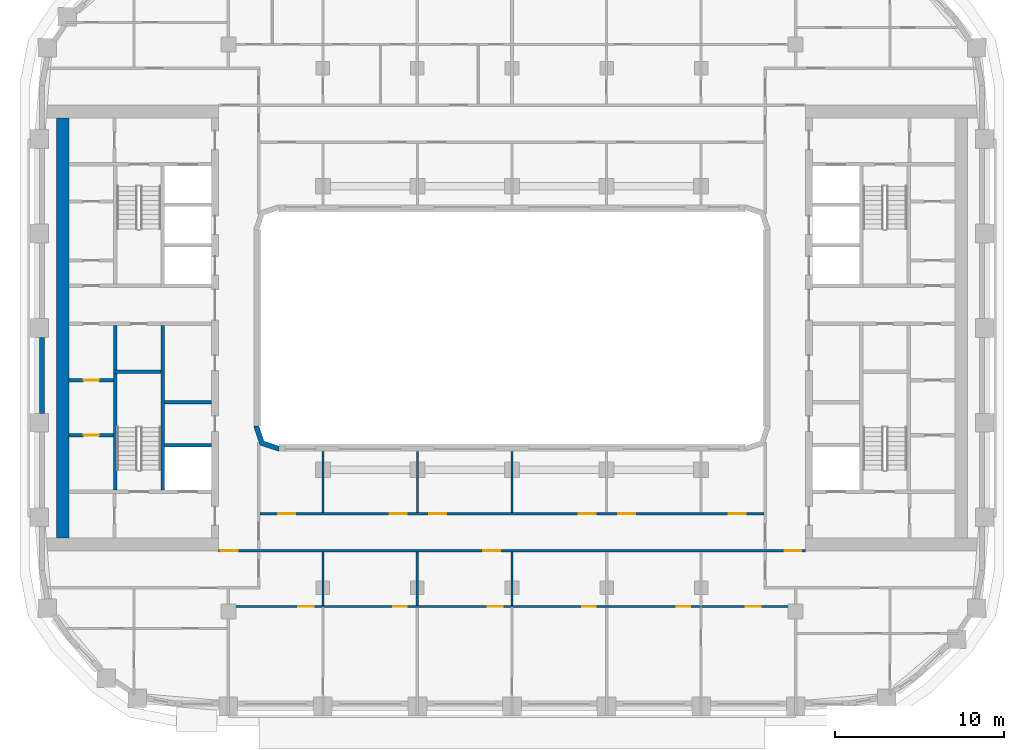
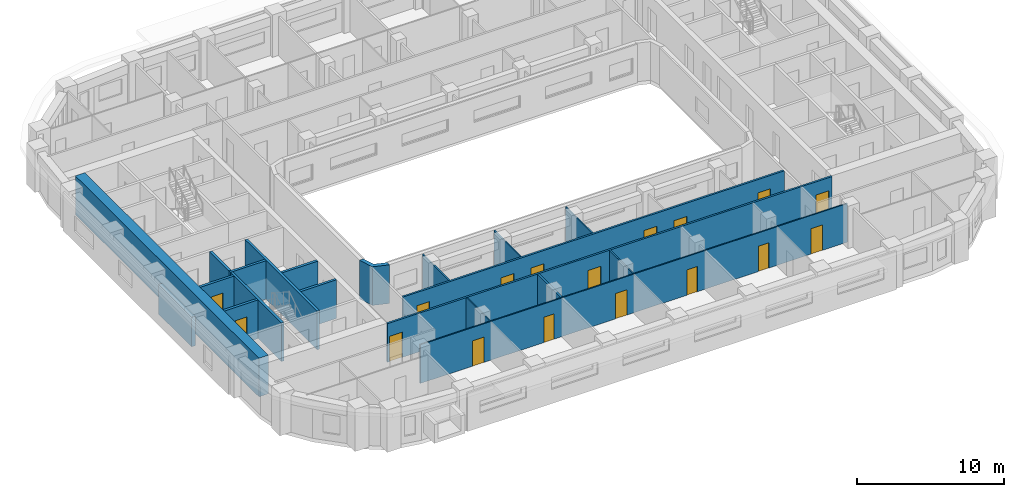
# One storey, part 3 of 22: 20 walls, 17 doors, 17 openings.
"""IFC4 building model written with IfcOpenShell, lengths in metres."""

from ifc_helpers import new_model, si_unit, direction, frame, frame_2d, origin, place, context, subcontext, project, spatial, polyline, rectangle, outline, extrude, material, layer, layer_set, type_object, element, fill, save


model = new_model("IFC4")

# Units and contexts
model_context = context("Model", 3, precision=1e-05, world=origin(), true_north=direction((0.0, 1.0)))
body_context = subcontext(model_context, "Body", "Model", "MODEL_VIEW")
ifc_project = project(units=[si_unit("LENGTHUNIT", "METRE"), si_unit("AREAUNIT", "SQUARE_METRE"), si_unit("VOLUMEUNIT", "CUBIC_METRE"), si_unit("PLANEANGLEUNIT", "RADIAN"), si_unit("MASSUNIT", "GRAM", prefix="KILO")], contexts=[model_context])

# Site, building, storey
site_placement = place(None, origin())
site = spatial("IfcSite", under=ifc_project, at=site_placement, CompositionType="ELEMENT")
building_placement = place(site_placement, origin())
building = spatial("IfcBuilding", under=site, at=building_placement, Name="Kiln Ring Residences", CompositionType="ELEMENT")
storey_placement = place(building_placement, frame((0.0, 0.0, 146.60009765625)))
storey = spatial("IfcBuildingStorey", under=building, at=storey_placement, Name="L37", CompositionType="ELEMENT", Elevation=146.60009765625)

# Walls
ifc_material_1 = material(Name="Gypsum board on steel studs", Category="steel")
ifc_layer_1 = layer(ifc_material_1, 0.199951171875)
ifc_layer_set_1 = layer_set([ifc_layer_1], Name="CORE-PARTITION-200")
wall_type_1 = type_object("IfcWallType", Name="CORE-PARTITION-200", PredefinedType="PARTITIONING", material=ifc_layer_set_1)
wall_1_placement = place(storey_placement, frame((-23.5, -2.5, 0.0), z_axis=(0.0, 0.0, 1.0), x_axis=(0.0, 1.0, 0.0)))
element("IfcWall", 1, at=wall_1_placement, inside=storey, type_object=wall_type_1, Name="Core partition west L37 1", PredefinedType="PARTITIONING", context=body_context, shape_type="SweptSolid", body=[
    extrude(rectangle(XDim=2.64990234375, YDim=0.199951171875, at=frame_2d((1.324951171875, 0.0))), origin(), (0.0, 0.0, 1.0), 3.199951171875),
])
wall_2_placement = place(storey_placement, frame((-17.800048828125, -4.39990234375, 0.0), z_axis=(0.0, 0.0, 1.0), x_axis=(-1.0, 0.0, 0.0)))
element("IfcWall", 2, at=wall_2_placement, inside=storey, type_object=wall_type_1, Name="Core partition west L37 3", PredefinedType="PARTITIONING", context=body_context, shape_type="SweptSolid", body=[
    extrude(rectangle(XDim=2.800048828125, YDim=0.199951171875, at=frame_2d((1.39990234375, 0.0))), origin(), (0.0, 0.0, 1.0), 3.199951171875),
])

# Wall, opening, door
wall_3_placement = place(storey_placement, frame((-23.60009765625, -6.35009765625, 0.0), z_axis=(0.0, 0.0, 1.0), x_axis=(-1.0, 0.0, 0.0)))
wall_3 = element("IfcWall", 3, at=wall_3_placement, inside=storey, type_object=wall_type_1, Name="Core partition west L37 6", PredefinedType="PARTITIONING", context=body_context, shape_type="SweptSolid", body=[
    extrude(rectangle(XDim=2.64990234375, YDim=0.199951171875, at=frame_2d((1.324951171875, 0.0))), origin(), (0.0, 0.0, 1.0), 3.199951171875),
])
opening_1_placement = place(wall_3_placement, frame((0.875, 0.0, 0.0)))
opening_1 = element("IfcOpeningElement", 4, at=opening_1_placement, cuts=wall_3, Name="Opening L37-CW15", PredefinedType="OPENING", context=body_context, shape_type="SweptSolid", body=[
    extrude(rectangle(XDim=0.89990234375, YDim=2.10009765625, at=frame_2d((0.449951171875, 1.050048828125))), frame((0.0, 0.10986328125, 0.0), z_axis=(0.0, -1.0, 0.0), x_axis=(1.0, 0.0, 0.0)), (0.0, 0.0, 1.0), 0.219970703125),
])
ifc_material_2 = material(Name="Steel door leaf", Category="steel")
door_type_1 = type_object("IfcDoorType", Name="CORE-DOOR-ROOM", OperationType="SINGLE_SWING_LEFT", PredefinedType="DOOR", material=ifc_material_2)
door_1_placement = place(opening_1_placement, origin())
door_1 = element("IfcDoor", 5, at=door_1_placement, inside=storey, type_object=door_type_1, Name="Meter room L37-CW15", OperationType="SINGLE_SWING_RIGHT", OverallHeight=2.10009765625, OverallWidth=0.89990234375, PredefinedType="DOOR", context=body_context, shape_type="SweptSolid", body=[
    extrude(rectangle(XDim=0.89990234375, YDim=2.10009765625, at=frame_2d((0.449951171875, 1.050048828125))), frame((0.0, 0.02490234375, 0.0), z_axis=(0.0, -1.0, 0.0), x_axis=(1.0, 0.0, 0.0)), (0.0, 0.0, 1.0), 0.050048828125),
])
fill(opening_1, door_1)

wall_4_placement = place(storey_placement, frame((-23.60009765625, -3.10009765625, 0.0), z_axis=(0.0, 0.0, 1.0), x_axis=(-1.0, 0.0, 0.0)))
wall_4 = element("IfcWall", 6, at=wall_4_placement, inside=storey, type_object=wall_type_1, Name="Core partition west L37 7", PredefinedType="PARTITIONING", context=body_context, shape_type="SweptSolid", body=[
    extrude(rectangle(XDim=2.64990234375, YDim=0.199951171875, at=frame_2d((1.324951171875, 0.0))), origin(), (0.0, 0.0, 1.0), 3.199951171875),
])
opening_2_placement = place(wall_4_placement, frame((0.875, 0.0, 0.0)))
opening_2 = element("IfcOpeningElement", 7, at=opening_2_placement, cuts=wall_4, Name="Opening L37-CW16", PredefinedType="OPENING", context=body_context, shape_type="SweptSolid", body=[
    extrude(rectangle(XDim=0.89990234375, YDim=2.10009765625, at=frame_2d((0.449951171875, 1.050048828125))), frame((0.0, 0.10986328125, 0.0), z_axis=(0.0, -1.0, 0.0), x_axis=(1.0, 0.0, 0.0)), (0.0, 0.0, 1.0), 0.219970703125),
])
door_2_placement = place(opening_2_placement, origin())
door_2 = element("IfcDoor", 8, at=door_2_placement, inside=storey, type_object=door_type_1, Name="Plant room L37-CW16", OperationType="SINGLE_SWING_LEFT", OverallHeight=2.10009765625, OverallWidth=0.89990234375, PredefinedType="DOOR", context=body_context, shape_type="SweptSolid", body=[
    extrude(rectangle(XDim=0.89990234375, YDim=2.10009765625, at=frame_2d((0.449951171875, 1.050048828125))), frame((0.0, 0.02490234375, 0.0), z_axis=(0.0, -1.0, 0.0), x_axis=(1.0, 0.0, 0.0)), (0.0, 0.0, 1.0), 0.050048828125),
])
fill(opening_2, door_2)

# Walls
ifc_material_3 = material(Name="Gypsum shaft wall system")
ifc_layer_2 = layer(ifc_material_3, 0.199951171875)
ifc_layer_set_2 = layer_set([ifc_layer_2], Name="CORE-SHAFT-WALL-200")
wall_type_2 = type_object("IfcWallType", Name="CORE-SHAFT-WALL-200", PredefinedType="PARTITIONING", material=ifc_layer_set_2)
wall_5_placement = place(storey_placement, frame((-17.800048828125, -6.949951171875, 0.0), z_axis=(0.0, 0.0, 1.0), x_axis=(-1.0, 0.0, 0.0)))
element("IfcWall", 9, at=wall_5_placement, inside=storey, type_object=wall_type_2, Name="Core partition west L37 10", PredefinedType="PARTITIONING", context=body_context, shape_type="SweptSolid", body=[
    extrude(rectangle(XDim=2.800048828125, YDim=0.199951171875, at=frame_2d((1.39990234375, 0.0))), origin(), (0.0, 0.0, 1.0), 3.199951171875),
])
ifc_material_4 = material(Name="Concrete C40/50", Category="concrete")
ifc_layer_3 = layer(ifc_material_4, 0.199951171875)
ifc_layer_set_3 = layer_set([ifc_layer_3], Name="CORE-WALL-RC200")
wall_type_3 = type_object("IfcWallType", Name="CORE-WALL-RC200", PredefinedType="SHEAR", material=ifc_layer_set_3)
wall_6_placement = place(storey_placement, frame((-20.699951171875, -9.60009765625, 0.0), z_axis=(0.0, 0.0, 1.0), x_axis=(0.0, 1.0, 0.0)))
element("IfcWall", 10, at=wall_6_placement, inside=storey, type_object=wall_type_3, Name="Core wall west L37 2", PredefinedType="SHEAR", context=body_context, shape_type="SweptSolid", body=[
    extrude(rectangle(XDim=9.75, YDim=0.199951171875, at=frame_2d((4.875, 0.0))), origin(), (0.0, 0.0, 1.0), 3.199951171875),
])
wall_7_placement = place(storey_placement, frame((-23.5, -9.60009765625, 0.0), z_axis=(0.0, 0.0, 1.0), x_axis=(0.0, 1.0, 0.0)))
element("IfcWall", 11, at=wall_7_placement, inside=storey, type_object=wall_type_3, Name="Core wall west L37 11", PredefinedType="SHEAR", context=body_context, shape_type="SweptSolid", body=[
    extrude(rectangle(XDim=6.900146484375, YDim=0.199951171875, at=frame_2d((3.4501953125, 0.0))), origin(), (0.0, 0.0, 1.0), 3.199951171875),
])
wall_8_placement = place(storey_placement, frame((-20.800048828125, -2.60009765625, 0.0), z_axis=(0.0, 0.0, 1.0), x_axis=(-1.0, 0.0, 0.0)))
element("IfcWall", 12, at=wall_8_placement, inside=storey, type_object=wall_type_3, Name="Core wall west L37 12", PredefinedType="SHEAR", context=body_context, shape_type="SweptSolid", body=[
    extrude(rectangle(XDim=2.800048828125, YDim=0.199951171875, at=frame_2d((1.39990234375, 0.0))), origin(), (0.0, 0.0, 1.0), 3.199951171875),
])
ifc_material_5 = material(Name="Concrete C60/75", Category="concrete")
ifc_layer_4 = layer(ifc_material_5, 0.75)
ifc_layer_set_4 = layer_set([ifc_layer_4], Name="CORE-WALL-RC750")
wall_type_4 = type_object("IfcWallType", Name="CORE-WALL-RC750", PredefinedType="SHEAR", material=ifc_layer_set_4)
wall_9_placement = place(storey_placement, frame((-26.625, -12.449951171875, 0.0), z_axis=(0.0, 0.0, 1.0), x_axis=(0.0, 1.0, 0.0)))
element("IfcWall", 13, at=wall_9_placement, inside=storey, type_object=wall_type_4, Name="Core wall west L37 7", PredefinedType="SHEAR", context=body_context, shape_type="SweptSolid", body=[
    extrude(rectangle(XDim=24.89990234375, YDim=0.75, at=frame_2d((12.449951171875, 0.0))), origin(), (0.0, 0.0, 1.0), 3.199951171875),
])
ifc_material_6 = material(Name="Brick masonry, dark clay brick", Category="masonry")
ifc_layer_5 = layer(ifc_material_6, 0.300048828125)
ifc_layer_set_5 = layer_set([ifc_layer_5], Name="EW-300 BRICK WALL")
wall_type_5 = type_object("IfcWallType", Name="EW-300 BRICK WALL", PredefinedType="SOLIDWALL", material=ifc_layer_set_5)
wall_10_placement = place(storey_placement, frame((-27.85009765625, -0.550048828125, 0.0), z_axis=(0.0, 0.0, 1.0), x_axis=(0.0, -1.0, 0.0)))
element("IfcWall", 14, at=wall_10_placement, inside=storey, type_object=wall_type_5, Name="Facade wall L37 44", PredefinedType="SOLIDWALL", context=body_context, shape_type="SweptSolid", body=[
    extrude(rectangle(XDim=4.5, YDim=0.300048828125, at=frame_2d((2.25, 0.0))), origin(), (0.0, 0.0, 1.0), 2.449951171875),
])
wall_11_placement = place(storey_placement, origin())
element("IfcWall", 15, at=wall_11_placement, inside=storey, type_object=wall_type_5, Name="Corner wall L37 4", PredefinedType="SOLIDWALL", context=body_context, shape_type="SweptSolid", body=[
    extrude(outline(polyline([(-14.937255859375, -6.937255859375), (-13.8486328125, -7.300048828125), (-13.800048828125, -7.300048828125), (-13.800048828125, -7.0), (-14.699951171875, -6.699951171875), (-15.0, -5.800048828125), (-15.300048828125, -5.800048828125), (-15.300048828125, -5.8486328125), (-14.937255859375, -6.937255859375)])), origin(), (0.0, 0.0, 1.0), 3.199951171875),
])

# Wall, openings, doors
ifc_material_7 = material(Name="Gypsum board on steel studs", Category="steel")
ifc_layer_6 = layer(ifc_material_7, 0.10009765625)
ifc_layer_set_6 = layer_set([ifc_layer_6], Name="PARTITION-100")
wall_type_6 = type_object("IfcWallType", Name="PARTITION-100", PredefinedType="PARTITIONING", material=ifc_layer_set_6)
wall_12_placement = place(storey_placement, frame((-16.72509765625, -16.5, 0.0), z_axis=(0.0, 0.0, 1.0), x_axis=(1.0, 0.0, 0.0)))
wall_12 = element("IfcWall", 16, at=wall_12_placement, inside=storey, type_object=wall_type_6, Name="Partition 002", PredefinedType="PARTITIONING", context=body_context, shape_type="SweptSolid", body=[
    extrude(rectangle(XDim=33.4501953125, YDim=0.10009765625, at=frame_2d((16.72509765625, 0.0))), origin(), (0.0, 0.0, 1.0), 3.199951171875),
])
opening_3_placement = place(wall_12_placement, frame((9.675048828125, 0.0, 0.0)))
opening_3 = element("IfcOpeningElement", 17, at=opening_3_placement, cuts=wall_12, Name="Opening L37-D045", PredefinedType="OPENING", context=body_context, shape_type="SweptSolid", body=[
    extrude(rectangle(XDim=0.800048828125, YDim=2.10009765625, at=frame_2d((0.39990234375, 1.050048828125))), frame((0.0, 0.06005859375, 0.0), z_axis=(0.0, -1.0, 0.0), x_axis=(1.0, 0.0, 0.0)), (0.0, 0.0, 1.0), 0.1201171875),
])
opening_4_placement = place(wall_12_placement, frame((4.074951171875, 0.0, 0.0)))
opening_4 = element("IfcOpeningElement", 18, at=opening_4_placement, cuts=wall_12, Name="Opening L37-D046", PredefinedType="OPENING", context=body_context, shape_type="SweptSolid", body=[
    extrude(rectangle(XDim=0.89990234375, YDim=2.10009765625, at=frame_2d((0.449951171875, 1.050048828125))), frame((0.0, 0.06005859375, 0.0), z_axis=(0.0, -1.0, 0.0), x_axis=(1.0, 0.0, 0.0)), (0.0, 0.0, 1.0), 0.1201171875),
])
opening_5_placement = place(wall_12_placement, frame((20.875, 0.0, 0.0)))
opening_5 = element("IfcOpeningElement", 19, at=opening_5_placement, cuts=wall_12, Name="Opening L37-D049", PredefinedType="OPENING", context=body_context, shape_type="SweptSolid", body=[
    extrude(rectangle(XDim=0.800048828125, YDim=2.10009765625, at=frame_2d((0.39990234375, 1.050048828125))), frame((0.0, 0.06005859375, 0.0), z_axis=(0.0, -1.0, 0.0), x_axis=(1.0, 0.0, 0.0)), (0.0, 0.0, 1.0), 0.1201171875),
])
opening_6_placement = place(wall_12_placement, frame((15.27490234375, 0.0, 0.0)))
opening_6 = element("IfcOpeningElement", 20, at=opening_6_placement, cuts=wall_12, Name="Opening L37-D050", PredefinedType="OPENING", context=body_context, shape_type="SweptSolid", body=[
    extrude(rectangle(XDim=0.89990234375, YDim=2.10009765625, at=frame_2d((0.449951171875, 1.050048828125))), frame((0.0, 0.06005859375, 0.0), z_axis=(0.0, -1.0, 0.0), x_axis=(1.0, 0.0, 0.0)), (0.0, 0.0, 1.0), 0.1201171875),
])
opening_7_placement = place(wall_12_placement, frame((26.47509765625, 0.0, 0.0)))
opening_7 = element("IfcOpeningElement", 21, at=opening_7_placement, cuts=wall_12, Name="Opening L37-D053", PredefinedType="OPENING", context=body_context, shape_type="SweptSolid", body=[
    extrude(rectangle(XDim=0.800048828125, YDim=2.10009765625, at=frame_2d((0.39990234375, 1.050048828125))), frame((0.0, 0.06005859375, 0.0), z_axis=(0.0, -1.0, 0.0), x_axis=(1.0, 0.0, 0.0)), (0.0, 0.0, 1.0), 0.1201171875),
])
opening_8_placement = place(wall_12_placement, frame((30.574951171875, 0.0, 0.0)))
opening_8 = element("IfcOpeningElement", 22, at=opening_8_placement, cuts=wall_12, Name="Opening L37-D054", PredefinedType="OPENING", context=body_context, shape_type="SweptSolid", body=[
    extrude(rectangle(XDim=0.89990234375, YDim=2.10009765625, at=frame_2d((0.449951171875, 1.050048828125))), frame((0.0, 0.06005859375, 0.0), z_axis=(0.0, -1.0, 0.0), x_axis=(1.0, 0.0, 0.0)), (0.0, 0.0, 1.0), 0.1201171875),
])
ifc_material_8 = material(Name="Timber door leaf", Category="wood")
door_type_2 = type_object("IfcDoorType", Name="FLAT-DOOR-800-PL", OperationType="SINGLE_SWING_LEFT", PredefinedType="DOOR", material=ifc_material_8)
door_3_placement = place(opening_3_placement, origin())
door_3 = element("IfcDoor", 23, at=door_3_placement, inside=storey, type_object=door_type_2, Name="Door L37-D045", OperationType="SINGLE_SWING_LEFT", OverallHeight=2.10009765625, OverallWidth=0.800048828125, PredefinedType="DOOR", context=body_context, shape_type="SweptSolid", body=[
    extrude(rectangle(XDim=0.800048828125, YDim=2.10009765625, at=frame_2d((0.39990234375, 1.050048828125))), frame((0.0, 0.02490234375, 0.0), z_axis=(0.0, -1.0, 0.0), x_axis=(1.0, 0.0, 0.0)), (0.0, 0.0, 1.0), 0.050048828125),
])
fill(opening_3, door_3)
door_4_placement = place(opening_5_placement, origin())
door_4 = element("IfcDoor", 24, at=door_4_placement, inside=storey, type_object=door_type_2, Name="Door L37-D049", OperationType="SINGLE_SWING_LEFT", OverallHeight=2.10009765625, OverallWidth=0.800048828125, PredefinedType="DOOR", context=body_context, shape_type="SweptSolid", body=[
    extrude(rectangle(XDim=0.800048828125, YDim=2.10009765625, at=frame_2d((0.39990234375, 1.050048828125))), frame((0.0, 0.02490234375, 0.0), z_axis=(0.0, -1.0, 0.0), x_axis=(1.0, 0.0, 0.0)), (0.0, 0.0, 1.0), 0.050048828125),
])
fill(opening_5, door_4)
door_5_placement = place(opening_7_placement, origin())
door_5 = element("IfcDoor", 25, at=door_5_placement, inside=storey, type_object=door_type_2, Name="Door L37-D053", OperationType="SINGLE_SWING_LEFT", OverallHeight=2.10009765625, OverallWidth=0.800048828125, PredefinedType="DOOR", context=body_context, shape_type="SweptSolid", body=[
    extrude(rectangle(XDim=0.800048828125, YDim=2.10009765625, at=frame_2d((0.39990234375, 1.050048828125))), frame((0.0, 0.02490234375, 0.0), z_axis=(0.0, -1.0, 0.0), x_axis=(1.0, 0.0, 0.0)), (0.0, 0.0, 1.0), 0.050048828125),
])
fill(opening_7, door_5)
ifc_material_9 = material(Name="Timber door leaf", Category="wood")
door_type_3 = type_object("IfcDoorType", Name="FLAT-DOOR-900-PL", OperationType="SINGLE_SWING_LEFT", PredefinedType="DOOR", material=ifc_material_9)
door_6_placement = place(opening_4_placement, origin())
door_6 = element("IfcDoor", 26, at=door_6_placement, inside=storey, type_object=door_type_3, Name="Door L37-D046", OperationType="SINGLE_SWING_RIGHT", OverallHeight=2.10009765625, OverallWidth=0.89990234375, PredefinedType="DOOR", context=body_context, shape_type="SweptSolid", body=[
    extrude(rectangle(XDim=0.89990234375, YDim=2.10009765625, at=frame_2d((0.449951171875, 1.050048828125))), frame((0.0, 0.02490234375, 0.0), z_axis=(0.0, -1.0, 0.0), x_axis=(1.0, 0.0, 0.0)), (0.0, 0.0, 1.0), 0.050048828125),
])
fill(opening_4, door_6)
door_7_placement = place(opening_6_placement, origin())
door_7 = element("IfcDoor", 27, at=door_7_placement, inside=storey, type_object=door_type_3, Name="Door L37-D050", OperationType="SINGLE_SWING_RIGHT", OverallHeight=2.10009765625, OverallWidth=0.89990234375, PredefinedType="DOOR", context=body_context, shape_type="SweptSolid", body=[
    extrude(rectangle(XDim=0.89990234375, YDim=2.10009765625, at=frame_2d((0.449951171875, 1.050048828125))), frame((0.0, 0.02490234375, 0.0), z_axis=(0.0, -1.0, 0.0), x_axis=(1.0, 0.0, 0.0)), (0.0, 0.0, 1.0), 0.050048828125),
])
fill(opening_6, door_7)
door_8_placement = place(opening_8_placement, origin())
door_8 = element("IfcDoor", 28, at=door_8_placement, inside=storey, type_object=door_type_3, Name="Door L37-D054", OperationType="SINGLE_SWING_RIGHT", OverallHeight=2.10009765625, OverallWidth=0.89990234375, PredefinedType="DOOR", context=body_context, shape_type="SweptSolid", body=[
    extrude(rectangle(XDim=0.89990234375, YDim=2.10009765625, at=frame_2d((0.449951171875, 1.050048828125))), frame((0.0, 0.02490234375, 0.0), z_axis=(0.0, -1.0, 0.0), x_axis=(1.0, 0.0, 0.0)), (0.0, 0.0, 1.0), 0.050048828125),
])
fill(opening_8, door_8)

# Walls
wall_13_placement = place(storey_placement, frame((-11.199951171875, -16.449951171875, 0.0), z_axis=(0.0, 0.0, 1.0), x_axis=(0.0, 1.0, 0.0)))
element("IfcWall", 29, at=wall_13_placement, inside=storey, type_object=wall_type_6, Name="Partition 026", PredefinedType="PARTITIONING", context=body_context, shape_type="SweptSolid", body=[
    extrude(rectangle(XDim=3.175048828125, YDim=0.10009765625, at=frame_2d((1.58740234375, 0.0))), origin(), (0.0, 0.0, 1.0), 3.199951171875),
])
for number, where, z_axis, x_axis, name in (
    (30, (-11.199951171875, -10.925048828125, 0.0), (0.0, 0.0, 1.0), (0.0, 1.0, 0.0), "Partition 027"),
    (31, (-5.60009765625, -10.925048828125, 0.0), (0.0, 0.0, 1.0), (0.0, 1.0, 0.0), "Partition 032"),
):
    element("IfcWall", number, at=place(storey_placement, frame(where, z_axis=z_axis, x_axis=x_axis)), inside=storey, type_object=wall_type_6, Name=name, PredefinedType="PARTITIONING", context=body_context, shape_type="SweptSolid", body=[
        extrude(rectangle(XDim=3.60498046875, YDim=0.10009765625, at=frame_2d((1.802490234375, 0.0))), origin(), (0.0, 0.0, 1.0), 3.199951171875),
    ])
wall_14_placement = place(storey_placement, frame((0.0, -16.449951171875, 0.0), z_axis=(0.0, 0.0, 1.0), x_axis=(0.0, 1.0, 0.0)))
element("IfcWall", 32, at=wall_14_placement, inside=storey, type_object=wall_type_6, Name="Partition 040", PredefinedType="PARTITIONING", context=body_context, shape_type="SweptSolid", body=[
    extrude(rectangle(XDim=3.175048828125, YDim=0.10009765625, at=frame_2d((1.58740234375, 0.0))), origin(), (0.0, 0.0, 1.0), 3.199951171875),
])
wall_15_placement = place(storey_placement, frame((0.0, -10.925048828125, 0.0), z_axis=(0.0, 0.0, 1.0), x_axis=(0.0, 1.0, 0.0)))
element("IfcWall", 33, at=wall_15_placement, inside=storey, type_object=wall_type_6, Name="Partition 041", PredefinedType="PARTITIONING", context=body_context, shape_type="SweptSolid", body=[
    extrude(rectangle(XDim=3.60498046875, YDim=0.10009765625, at=frame_2d((1.802490234375, 0.0))), origin(), (0.0, 0.0, 1.0), 3.199951171875),
])

# Wall, openings, doors
ifc_material_10 = material(Name="Brick masonry partition", Category="masonry")
ifc_layer_7 = layer(ifc_material_10, 0.14990234375)
ifc_layer_set_7 = layer_set([ifc_layer_7], Name="PARTITION-150-ei60")
wall_type_7 = type_object("IfcWallType", Name="PARTITION-150-ei60", PredefinedType="PARTITIONING", material=ifc_layer_set_7)
wall_16_placement = place(storey_placement, frame((-17.39990234375, -13.199951171875, 0.0), z_axis=(0.0, 0.0, 1.0), x_axis=(1.0, 0.0, 0.0)))
wall_16 = element("IfcWall", 34, at=wall_16_placement, inside=storey, type_object=wall_type_7, Name="Partition 005", PredefinedType="PARTITIONING", context=body_context, shape_type="SweptSolid", body=[
    extrude(rectangle(XDim=34.7998046875, YDim=0.14990234375, at=frame_2d((17.39990234375, 0.0))), origin(), (0.0, 0.0, 1.0), 3.199951171875),
])
opening_9_placement = place(wall_16_placement, frame((0.14990234375, 0.0, 0.0)))
opening_9 = element("IfcOpeningElement", 35, at=opening_9_placement, cuts=wall_16, Name="Opening L37-D007", PredefinedType="OPENING", context=body_context, shape_type="SweptSolid", body=[
    extrude(rectangle(XDim=1.0, YDim=2.10009765625, at=frame_2d((0.5, 1.050048828125))), frame((0.0, 0.0849609375, 0.0), z_axis=(0.0, -1.0, 0.0), x_axis=(1.0, 0.0, 0.0)), (0.0, 0.0, 1.0), 0.169921875),
])
opening_10_placement = place(wall_16_placement, frame((33.550048828125, 0.0, 0.0)))
opening_10 = element("IfcOpeningElement", 36, at=opening_10_placement, cuts=wall_16, Name="Opening L37-D008", PredefinedType="OPENING", context=body_context, shape_type="SweptSolid", body=[
    extrude(rectangle(XDim=1.0, YDim=2.10009765625, at=frame_2d((0.5, 1.050048828125))), frame((0.0, 0.0849609375, 0.0), z_axis=(0.0, -1.0, 0.0), x_axis=(1.0, 0.0, 0.0)), (0.0, 0.0, 1.0), 0.169921875),
])
opening_11_placement = place(wall_16_placement, frame((15.699951171875, 0.0, 0.0)))
opening_11 = element("IfcOpeningElement", 37, at=opening_11_placement, cuts=wall_16, Name="Opening L37-D048", PredefinedType="OPENING", context=body_context, shape_type="SweptSolid", body=[
    extrude(rectangle(XDim=1.0, YDim=2.10009765625, at=frame_2d((0.5, 1.050048828125))), frame((0.0, 0.0849609375, 0.0), z_axis=(0.0, -1.0, 0.0), x_axis=(1.0, 0.0, 0.0)), (0.0, 0.0, 1.0), 0.169921875),
])
ifc_material_11 = material(Name="Steel faced fire door leaf", Category="steel")
door_type_4 = type_object("IfcDoorType", Name="FLAT-DOOR-1000-FR", OperationType="SINGLE_SWING_LEFT", PredefinedType="DOOR", material=ifc_material_11)
door_9_placement = place(opening_9_placement, origin())
door_9 = element("IfcDoor", 38, at=door_9_placement, inside=storey, type_object=door_type_4, Name="Door L37-D007", OperationType="SINGLE_SWING_RIGHT", OverallHeight=2.10009765625, OverallWidth=1.0, PredefinedType="DOOR", context=body_context, shape_type="SweptSolid", body=[
    extrude(rectangle(XDim=1.0, YDim=2.10009765625, at=frame_2d((0.5, 1.050048828125))), frame((0.0, 0.02490234375, 0.0), z_axis=(0.0, -1.0, 0.0), x_axis=(1.0, 0.0, 0.0)), (0.0, 0.0, 1.0), 0.050048828125),
])
fill(opening_9, door_9)
door_10_placement = place(opening_10_placement, origin())
door_10 = element("IfcDoor", 39, at=door_10_placement, inside=storey, type_object=door_type_4, Name="Door L37-D008", OperationType="SINGLE_SWING_LEFT", OverallHeight=2.10009765625, OverallWidth=1.0, PredefinedType="DOOR", context=body_context, shape_type="SweptSolid", body=[
    extrude(rectangle(XDim=1.0, YDim=2.10009765625, at=frame_2d((0.5, 1.050048828125))), frame((0.0, 0.02490234375, 0.0), z_axis=(0.0, -1.0, 0.0), x_axis=(1.0, 0.0, 0.0)), (0.0, 0.0, 1.0), 0.050048828125),
])
fill(opening_10, door_10)
door_11_placement = place(opening_11_placement, origin())
door_11 = element("IfcDoor", 40, at=door_11_placement, inside=storey, type_object=door_type_4, Name="Door L37-D048", OperationType="SINGLE_SWING_RIGHT", OverallHeight=2.10009765625, OverallWidth=1.0, PredefinedType="DOOR", context=body_context, shape_type="SweptSolid", body=[
    extrude(rectangle(XDim=1.0, YDim=2.10009765625, at=frame_2d((0.5, 1.050048828125))), frame((0.0, 0.02490234375, 0.0), z_axis=(0.0, -1.0, 0.0), x_axis=(1.0, 0.0, 0.0)), (0.0, 0.0, 1.0), 0.050048828125),
])
fill(opening_11, door_11)

wall_17_placement = place(storey_placement, frame((-14.925048828125, -11.0, 0.0), z_axis=(0.0, 0.0, 1.0), x_axis=(1.0, 0.0, 0.0)))
wall_17 = element("IfcWall", 41, at=wall_17_placement, inside=storey, type_object=wall_type_7, Name="Partition 006", PredefinedType="PARTITIONING", context=body_context, shape_type="SweptSolid", body=[
    extrude(rectangle(XDim=29.85009765625, YDim=0.14990234375, at=frame_2d((14.925048828125, 0.0))), origin(), (0.0, 0.0, 1.0), 3.199951171875),
])
opening_12_placement = place(wall_17_placement, frame((1.074951171875, 0.0, 0.0)))
opening_12 = element("IfcOpeningElement", 42, at=opening_12_placement, cuts=wall_17, Name="Opening L37-D038", PredefinedType="OPENING", context=body_context, shape_type="SweptSolid", body=[
    extrude(rectangle(XDim=1.0, YDim=2.10009765625, at=frame_2d((0.5, 1.050048828125))), frame((0.0, 0.0849609375, 0.0), z_axis=(0.0, -1.0, 0.0), x_axis=(1.0, 0.0, 0.0)), (0.0, 0.0, 1.0), 0.169921875),
])
opening_13_placement = place(wall_17_placement, frame((7.675048828125, 0.0, 0.0)))
opening_13 = element("IfcOpeningElement", 43, at=opening_13_placement, cuts=wall_17, Name="Opening L37-D039", PredefinedType="OPENING", context=body_context, shape_type="SweptSolid", body=[
    extrude(rectangle(XDim=1.0, YDim=2.10009765625, at=frame_2d((0.5, 1.050048828125))), frame((0.0, 0.0849609375, 0.0), z_axis=(0.0, -1.0, 0.0), x_axis=(1.0, 0.0, 0.0)), (0.0, 0.0, 1.0), 0.169921875),
])
opening_14_placement = place(wall_17_placement, frame((10.02490234375, 0.0, 0.0)))
opening_14 = element("IfcOpeningElement", 44, at=opening_14_placement, cuts=wall_17, Name="Opening L37-D040", PredefinedType="OPENING", context=body_context, shape_type="SweptSolid", body=[
    extrude(rectangle(XDim=1.0, YDim=2.10009765625, at=frame_2d((0.5, 1.050048828125))), frame((0.0, 0.0849609375, 0.0), z_axis=(0.0, -1.0, 0.0), x_axis=(1.0, 0.0, 0.0)), (0.0, 0.0, 1.0), 0.169921875),
])
opening_15_placement = place(wall_17_placement, frame((18.875, 0.0, 0.0)))
opening_15 = element("IfcOpeningElement", 45, at=opening_15_placement, cuts=wall_17, Name="Opening L37-D041", PredefinedType="OPENING", context=body_context, shape_type="SweptSolid", body=[
    extrude(rectangle(XDim=1.0, YDim=2.10009765625, at=frame_2d((0.5, 1.050048828125))), frame((0.0, 0.0849609375, 0.0), z_axis=(0.0, -1.0, 0.0), x_axis=(1.0, 0.0, 0.0)), (0.0, 0.0, 1.0), 0.169921875),
])
opening_16_placement = place(wall_17_placement, frame((21.22509765625, 0.0, 0.0)))
opening_16 = element("IfcOpeningElement", 46, at=opening_16_placement, cuts=wall_17, Name="Opening L37-D042", PredefinedType="OPENING", context=body_context, shape_type="SweptSolid", body=[
    extrude(rectangle(XDim=1.0, YDim=2.10009765625, at=frame_2d((0.5, 1.050048828125))), frame((0.0, 0.0849609375, 0.0), z_axis=(0.0, -1.0, 0.0), x_axis=(1.0, 0.0, 0.0)), (0.0, 0.0, 1.0), 0.169921875),
])
opening_17_placement = place(wall_17_placement, frame((27.77392578125, 0.0, 0.0)))
opening_17 = element("IfcOpeningElement", 47, at=opening_17_placement, cuts=wall_17, Name="Opening L37-D043", PredefinedType="OPENING", context=body_context, shape_type="SweptSolid", body=[
    extrude(rectangle(XDim=1.0, YDim=2.10009765625, at=frame_2d((0.5, 1.050048828125))), frame((0.0, 0.0849609375, 0.0), z_axis=(0.0, -1.0, 0.0), x_axis=(1.0, 0.0, 0.0)), (0.0, 0.0, 1.0), 0.169921875),
])
door_12_placement = place(opening_12_placement, origin())
door_12 = element("IfcDoor", 48, at=door_12_placement, inside=storey, type_object=door_type_4, Name="Door L37-D038", OperationType="SINGLE_SWING_RIGHT", OverallHeight=2.10009765625, OverallWidth=1.0, PredefinedType="DOOR", context=body_context, shape_type="SweptSolid", body=[
    extrude(rectangle(XDim=1.0, YDim=2.10009765625, at=frame_2d((0.5, 1.050048828125))), frame((0.0, 0.02490234375, 0.0), z_axis=(0.0, -1.0, 0.0), x_axis=(1.0, 0.0, 0.0)), (0.0, 0.0, 1.0), 0.050048828125),
])
fill(opening_12, door_12)
door_13_placement = place(opening_13_placement, origin())
door_13 = element("IfcDoor", 49, at=door_13_placement, inside=storey, type_object=door_type_4, Name="Door L37-D039", OperationType="SINGLE_SWING_LEFT", OverallHeight=2.10009765625, OverallWidth=1.0, PredefinedType="DOOR", context=body_context, shape_type="SweptSolid", body=[
    extrude(rectangle(XDim=1.0, YDim=2.10009765625, at=frame_2d((0.5, 1.050048828125))), frame((0.0, 0.02490234375, 0.0), z_axis=(0.0, -1.0, 0.0), x_axis=(1.0, 0.0, 0.0)), (0.0, 0.0, 1.0), 0.050048828125),
])
fill(opening_13, door_13)
door_14_placement = place(opening_14_placement, origin())
door_14 = element("IfcDoor", 50, at=door_14_placement, inside=storey, type_object=door_type_4, Name="Door L37-D040", OperationType="SINGLE_SWING_RIGHT", OverallHeight=2.10009765625, OverallWidth=1.0, PredefinedType="DOOR", context=body_context, shape_type="SweptSolid", body=[
    extrude(rectangle(XDim=1.0, YDim=2.10009765625, at=frame_2d((0.5, 1.050048828125))), frame((0.0, 0.02490234375, 0.0), z_axis=(0.0, -1.0, 0.0), x_axis=(1.0, 0.0, 0.0)), (0.0, 0.0, 1.0), 0.050048828125),
])
fill(opening_14, door_14)
door_15_placement = place(opening_15_placement, origin())
door_15 = element("IfcDoor", 51, at=door_15_placement, inside=storey, type_object=door_type_4, Name="Door L37-D041", OperationType="SINGLE_SWING_LEFT", OverallHeight=2.10009765625, OverallWidth=1.0, PredefinedType="DOOR", context=body_context, shape_type="SweptSolid", body=[
    extrude(rectangle(XDim=1.0, YDim=2.10009765625, at=frame_2d((0.5, 1.050048828125))), frame((0.0, 0.02490234375, 0.0), z_axis=(0.0, -1.0, 0.0), x_axis=(1.0, 0.0, 0.0)), (0.0, 0.0, 1.0), 0.050048828125),
])
fill(opening_15, door_15)
door_16_placement = place(opening_16_placement, origin())
door_16 = element("IfcDoor", 52, at=door_16_placement, inside=storey, type_object=door_type_4, Name="Door L37-D042", OperationType="SINGLE_SWING_RIGHT", OverallHeight=2.10009765625, OverallWidth=1.0, PredefinedType="DOOR", context=body_context, shape_type="SweptSolid", body=[
    extrude(rectangle(XDim=1.0, YDim=2.10009765625, at=frame_2d((0.5, 1.050048828125))), frame((0.0, 0.02490234375, 0.0), z_axis=(0.0, -1.0, 0.0), x_axis=(1.0, 0.0, 0.0)), (0.0, 0.0, 1.0), 0.050048828125),
])
fill(opening_16, door_16)
door_17_placement = place(opening_17_placement, origin())
door_17 = element("IfcDoor", 53, at=door_17_placement, inside=storey, type_object=door_type_4, Name="Door L37-D043", OperationType="SINGLE_SWING_LEFT", OverallHeight=2.10009765625, OverallWidth=1.0, PredefinedType="DOOR", context=body_context, shape_type="SweptSolid", body=[
    extrude(rectangle(XDim=1.0, YDim=2.10009765625, at=frame_2d((0.5, 1.050048828125))), frame((0.0, 0.02490234375, 0.0), z_axis=(0.0, -1.0, 0.0), x_axis=(1.0, 0.0, 0.0)), (0.0, 0.0, 1.0), 0.050048828125),
])
fill(opening_17, door_17)

# Wall
wall_18_placement = place(storey_placement, frame((-5.60009765625, -16.449951171875, 0.0), z_axis=(0.0, 0.0, 1.0), x_axis=(0.0, 1.0, 0.0)))
element("IfcWall", 54, at=wall_18_placement, inside=storey, type_object=wall_type_7, Name="Partition 035", PredefinedType="PARTITIONING", context=body_context, shape_type="SweptSolid", body=[
    extrude(rectangle(XDim=3.175048828125, YDim=0.14990234375, at=frame_2d((1.58740234375, 0.0))), origin(), (0.0, 0.0, 1.0), 3.199951171875),
])

save(model, "model.ifc")
